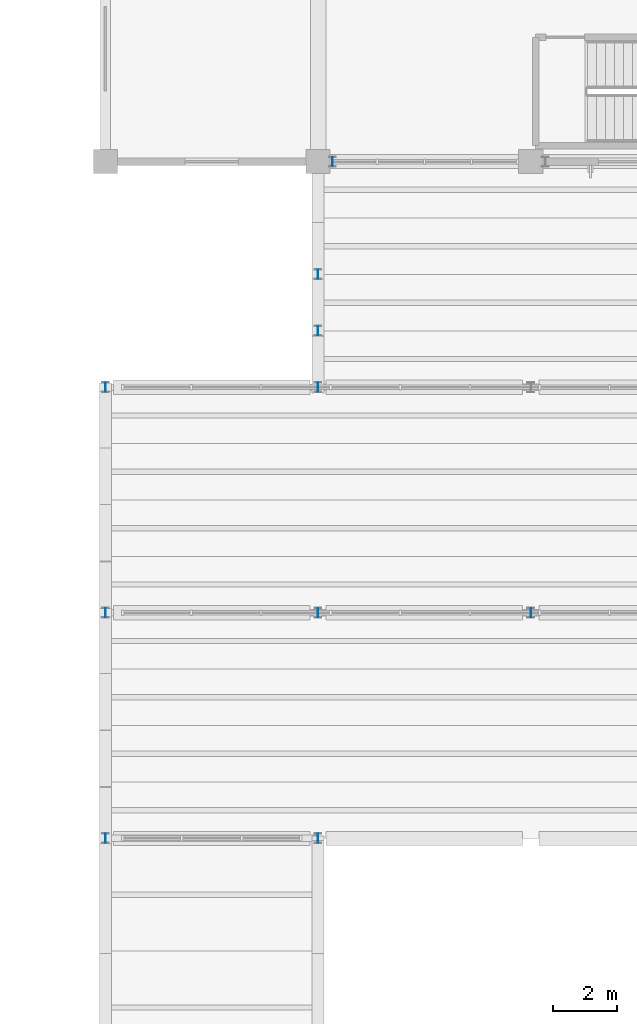
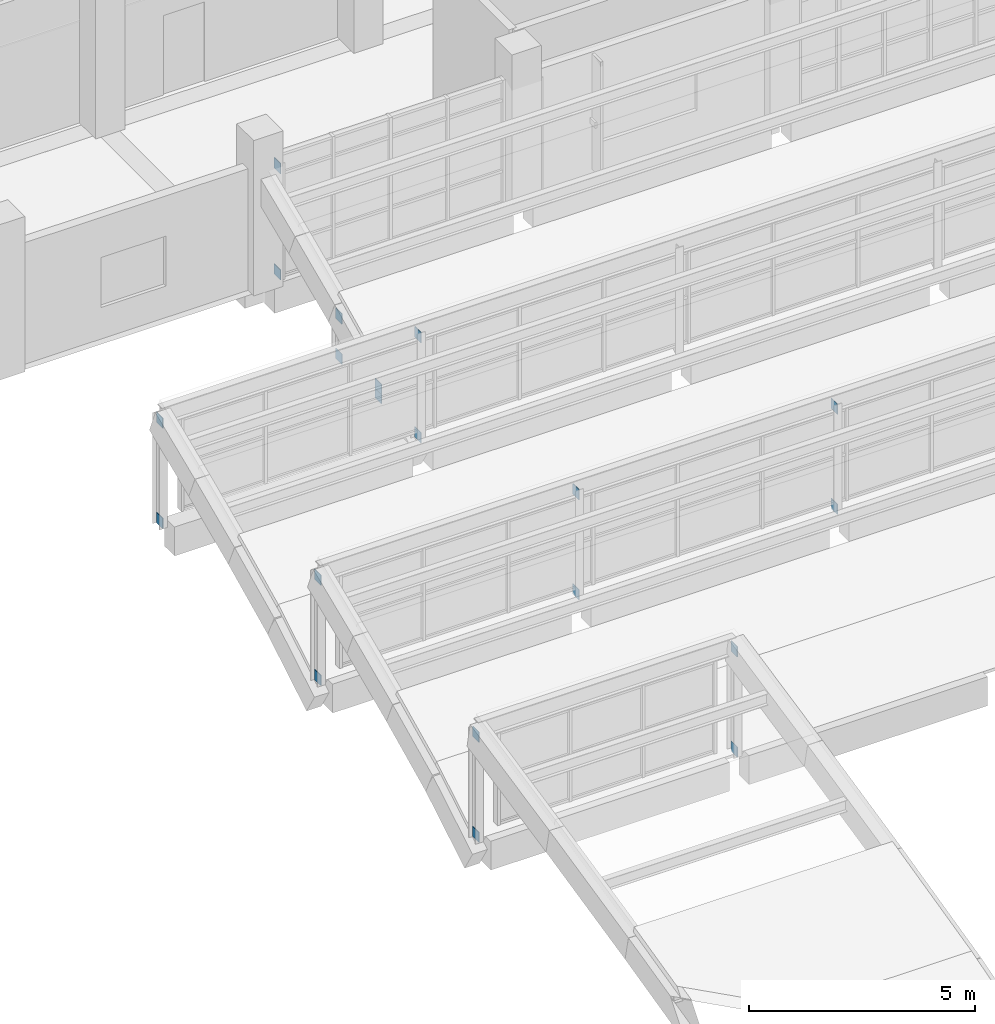
# One storey, part 81 of 92: 20 plates.
"""IFC4 building model written with IfcOpenShell, lengths in metres."""

from ifc_helpers import new_model, si_unit, direction, frame, origin, origin_2d, place, context, subcontext, project, spatial, rectangle, extrude, material, layer, layer_set, type_object, element, save


model = new_model("IFC4")

# Units and contexts
model_context = context("Model", 3, precision=1e-05, world=origin(), true_north=direction((0.0, 1.0)))
body_context = subcontext(model_context, "Body", "Model", "MODEL_VIEW")
ifc_project = project(units=[si_unit("LENGTHUNIT", "METRE"), si_unit("AREAUNIT", "SQUARE_METRE"), si_unit("VOLUMEUNIT", "CUBIC_METRE"), si_unit("PLANEANGLEUNIT", "RADIAN"), si_unit("MASSUNIT", "GRAM", prefix="KILO")], contexts=[model_context])

# Site, building, storey
site_placement = place(None, origin())
site = spatial("IfcSite", under=ifc_project, at=site_placement, CompositionType="ELEMENT")
building_placement = place(site_placement, origin())
building = spatial("IfcBuilding", under=site, at=building_placement, Name="Ciguamira Faculty of Natural Sciences", CompositionType="ELEMENT")
storey_placement = place(building_placement, frame((0.0, 0.0, 16.800048828125)))
storey = spatial("IfcBuildingStorey", under=building, at=storey_placement, Name="L04", CompositionType="ELEMENT", Elevation=16.800048828125)

# Plates
ifc_material = material(Name="Steel ASTM A572 Grade 50", Category="steel")
ifc_layer = layer(ifc_material, 0.01611328125, Name="Steel ASTM A572 Grade 50")
ifc_layer_set = layer_set([ifc_layer], Name="Steel ASTM A572 Grade 50")
plate_type = type_object("IfcPlateType", Name="GussetPlate_EP-01", PredefinedType="SHEET", material=ifc_layer_set)
for number, where, z_axis, x_axis, name in (
    (1, (57.300048828125, 73.0, 0.0), (0.0, 0.0, 1.0), (1.0, 0.0, 0.0), "V4 wave 4 post connection plate 57-1"),
    (2, (57.300048828125, 73.0, 2.7060546875), (0.0, 0.0, 1.0), (1.0, 0.0, 0.0), "V4 wave 4 post connection plate 57-2"),
    (3, (63.89990234375, 73.0, 0.0), (0.0, 0.0, 1.0), (1.0, 0.0, 0.0), "V4 wave 4 post connection plate 64-1"),
    (4, (63.89990234375, 73.0, 2.7060546875), (0.0, 0.0, 1.0), (1.0, 0.0, 0.0), "V4 wave 4 post connection plate 64-2"),
    (5, (57.300048828125, 80.0, 0.0), (0.0, 0.0, 1.0), (1.0, 0.0, 0.0), "V4 wave 5 post connection plate 57-1"),
    (6, (57.300048828125, 80.0, 2.7060546875), (0.0, 0.0, 1.0), (1.0, 0.0, 0.0), "V4 wave 5 post connection plate 57-2"),
    (7, (63.89990234375, 80.0, 0.0), (0.0, 0.0, 1.0), (1.0, 0.0, 0.0), "V4 wave 5 post connection plate 64-1"),
    (8, (63.89990234375, 80.0, 2.7060546875), (0.0, 0.0, 1.0), (1.0, 0.0, 0.0), "V4 wave 5 post connection plate 64-2"),
    (9, (70.5, 80.0, 0.0), (0.0, 0.0, 1.0), (1.0, 0.0, 0.0), "V4 wave 5 post connection plate 70-1"),
    (10, (70.5, 80.0, 2.7060546875), (0.0, 0.0, 1.0), (1.0, 0.0, 0.0), "V4 wave 5 post connection plate 70-2"),
    (11, (57.300048828125, 87.0, 0.0), (0.0, 0.0, 1.0), (1.0, 0.0, 0.0), "V4 wave 6 post connection plate 57-1"),
    (12, (57.300048828125, 87.0, 2.7060546875), (0.0, 0.0, 1.0), (1.0, 0.0, 0.0), "V4 wave 6 post connection plate 57-2"),
    (13, (63.89990234375, 87.0, 0.0), (0.0, 0.0, 1.0), (1.0, 0.0, 0.0), "V4 wave 6 post connection plate 64-1"),
    (14, (63.89990234375, 87.0, 2.7060546875), (0.0, 0.0, 1.0), (1.0, 0.0, 0.0), "V4 wave 6 post connection plate 64-2"),
    (15, (64.35009765625, 94.0, 0.0), (0.0, 0.0, 1.0), (1.0, 0.0, 0.0), "V4 wave 7 post connection plate 64-1"),
    (16, (64.35009765625, 94.0, 2.8701171875), (0.0, 0.0, 1.0), (1.0, 0.0, 0.0), "V4 wave 7 post connection plate 64-2"),
    (17, (63.89990234375, 88.75, 0.0), (0.0, 0.0, 1.0), (1.0, 0.0, 0.0), "V4 wave 7 edge post plate 2-1-1"),
    (18, (63.89990234375, 88.75, 0.24658203125), (0.0, 0.0, 1.0), (1.0, 0.0, 0.0), "V4 wave 7 edge post plate 2-1-2"),
    (19, (63.89990234375, 90.5, 0.0), (0.0, 0.0, 1.0), (1.0, 0.0, 0.0), "V4 wave 7 edge post plate 3-1-1"),
    (20, (63.89990234375, 90.5, 1.08642578125), (0.0, 0.0, 1.0), (1.0, 0.0, 0.0), "V4 wave 7 edge post plate 3-1-2"),
):
    element("IfcPlate", number, at=place(storey_placement, frame(where, z_axis=z_axis, x_axis=x_axis)), inside=storey, type_object=plate_type, Name=name, PredefinedType="SHEET", context=body_context, shape_type="SweptSolid", body=[
        extrude(rectangle(XDim=0.01611328125, YDim=0.280029296875, at=origin_2d()), origin(), (0.0, 0.0, 1.0), 0.280029296875),
    ])

save(model, "model.ifc")
